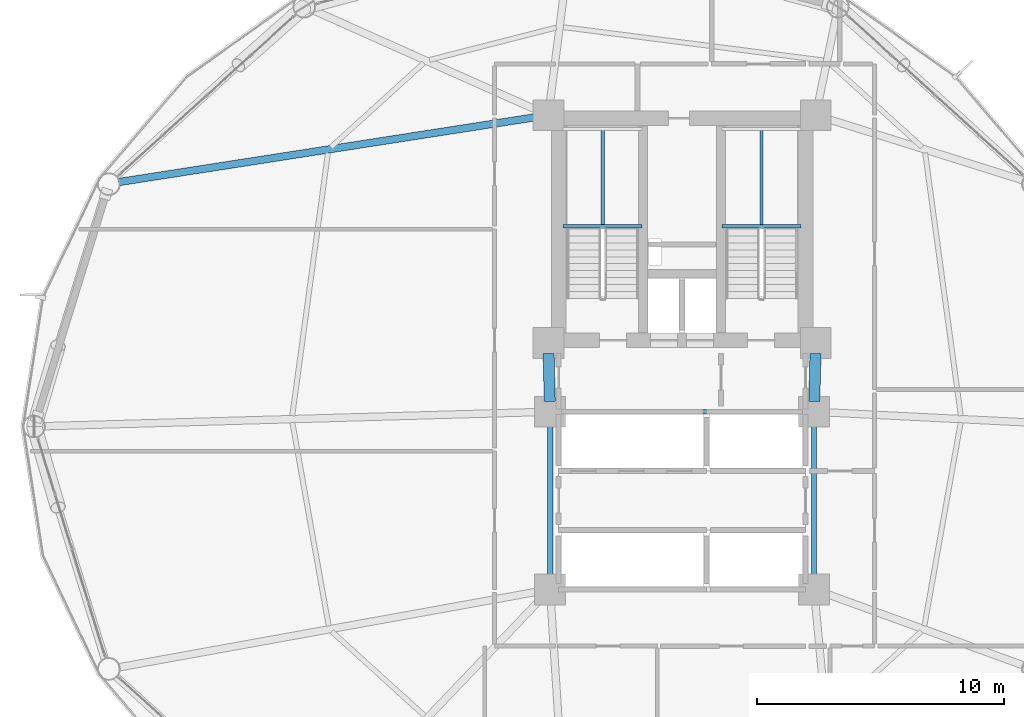
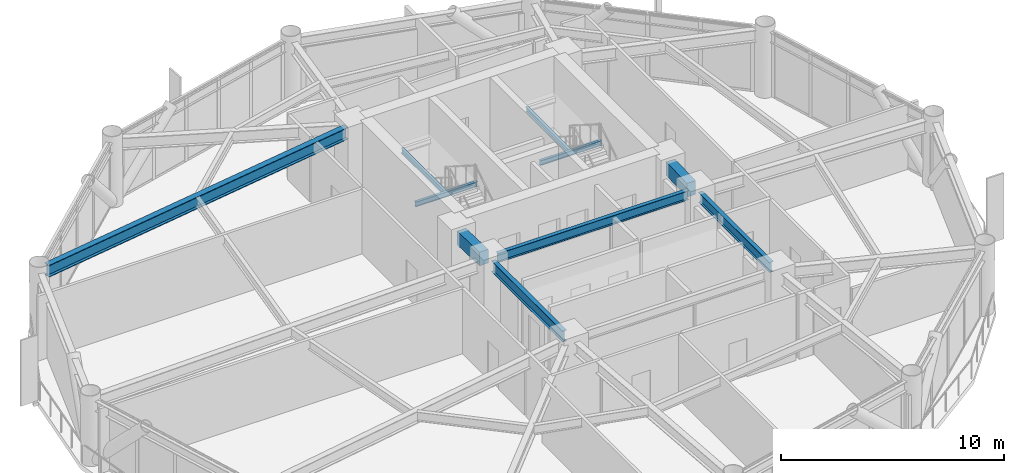
# One storey, part 11 of 25: 10 beams.
"""IFC4 building model written with IfcOpenShell, lengths in metres."""

import ifcopenshell
import ifcopenshell.guid

model = None  # the IFC model being written
_history = None  # IfcOwnerHistory: only IFC2X3 demands one
_inside = {}  # id of a spatial element -> (the spatial element, [elements in it])
_under = {}  # id of a project, library or spatial element -> (it, [spatial elements below it])
_declared = {}  # id of a project -> (the project, [libraries it declares])
_typed = {}  # id of a type object -> (the type object, [elements of that type])
_made_of = {}  # id of a material, layer set ... -> (it, [elements and type objects made of it])


def new_model(schema):
    """Start an empty IFC model of exactly this schema.

    Asked for "IFC4X3", IfcOpenShell would pick the latest addendum, in which some entities
    have other attributes; the version numbers below select the first issue.
    IFC2X3 requires an IfcOwnerHistory on every rooted entity: one is made here for all.
    """
    global model, _history
    if schema == "IFC4X3":
        model = ifcopenshell.file(schema_version=(4, 3, 0, 0))
    else:
        model = ifcopenshell.file(schema=schema)
    _inside.clear()
    _under.clear()
    _declared.clear()
    _typed.clear()
    _made_of.clear()
    _history = None
    if model.schema == "IFC2X3":
        org = make("IfcOrganization", Name="unknown")
        user = make(
            "IfcPersonAndOrganization",
            ThePerson=make("IfcPerson", FamilyName="unknown"),
            TheOrganization=org,
        )
        app = make(
            "IfcApplication",
            ApplicationDeveloper=org,
            Version="unknown",
            ApplicationFullName="unknown",
            ApplicationIdentifier="unknown",
        )
        _history = make(
            "IfcOwnerHistory",
            OwningUser=user,
            OwningApplication=app,
            ChangeAction="ADDED",
            CreationDate=0,
        )
    return model


def make(cls, **values):
    """One entity of the class cls with the attributes given. An attribute that is None is left unset."""
    return model.create_entity(
        cls, **{name: value for name, value in values.items() if value is not None}
    )


def rooted(cls, **values):
    """An entity with a GlobalId (a new one), such as an element, a storey or a relation."""
    return make(cls, GlobalId=ifcopenshell.guid.new(), OwnerHistory=_history, **values)


def si_unit(unit_type, name, prefix=None):
    """IfcSIUnit, for example si_unit("LENGTHUNIT", "METRE", prefix="MILLI")."""
    return make("IfcSIUnit", UnitType=unit_type, Prefix=prefix, Name=name)


def assignment(units):
    """IfcUnitAssignment: the units of a project."""
    return None if units is None else make("IfcUnitAssignment", Units=units)


def point(xyz):
    """IfcCartesianPoint."""
    return None if xyz is None else make("IfcCartesianPoint", Coordinates=xyz)


def direction(xyz):
    """IfcDirection."""
    return None if xyz is None else make("IfcDirection", DirectionRatios=xyz)


def frame(location, z_axis=None, x_axis=None):
    """IfcAxis2Placement3D, a coordinate frame: its origin and axes. An axis left out is left unset."""
    return make(
        "IfcAxis2Placement3D",
        Location=point(location),
        Axis=direction(z_axis),
        RefDirection=direction(x_axis),
    )


def frame_2d(location, x_axis=None):
    """IfcAxis2Placement2D, a coordinate frame in the plane: its origin and x axis."""
    return make(
        "IfcAxis2Placement2D", Location=point(location), RefDirection=direction(x_axis)
    )


def origin():
    """The frame at (0, 0, 0) with its axes left unset."""
    return frame((0.0, 0.0, 0.0))


def origin_2d():
    """The frame at (0, 0) in the plane with its x axis left unset."""
    return frame_2d((0.0, 0.0))


def place(relative_to, where):
    """IfcLocalPlacement: puts the frame where relative to a parent placement (None: the world)."""
    return make(
        "IfcLocalPlacement", PlacementRelTo=relative_to, RelativePlacement=where
    )


def context(
    kind, dimensions, precision=None, world=None, true_north=None, identifier=None
):
    """IfcGeometricRepresentationContext, for example the 3D "Model" context."""
    return make(
        "IfcGeometricRepresentationContext",
        ContextIdentifier=identifier,
        ContextType=kind,
        CoordinateSpaceDimension=dimensions,
        Precision=precision,
        WorldCoordinateSystem=world,
        TrueNorth=true_north,
    )


def subcontext(parent, identifier, kind, view, scale=None):
    """IfcGeometricRepresentationSubContext, for example "Body" below "Model"."""
    return make(
        "IfcGeometricRepresentationSubContext",
        ContextIdentifier=identifier,
        ContextType=kind,
        ParentContext=parent,
        TargetScale=scale,
        TargetView=view,
    )


def project(units=None, contexts=None):
    """IfcProject with its units and contexts."""
    return rooted(
        "IfcProject",
        Name="project",
        RepresentationContexts=contexts,
        UnitsInContext=assignment(units),
    )


def spatial(cls, under=None, at=None, **own):
    """A site, building, storey or space (cls), placed at a placement, below another one or the project."""
    s = rooted(cls, ObjectPlacement=at, **own)
    if under is not None:
        _under.setdefault(under.id(), (under, []))[1].append(s)
    return s


def profile(cls, at=None, kind="AREA", **sizes):
    """A parametric profile (cls). Its sizes go by their IFC names, for example OverallWidth=200.0."""
    return make(cls, ProfileType=kind, Position=at, **sizes)


def rectangle(**sizes):
    """IfcRectangleProfileDef."""
    return profile("IfcRectangleProfileDef", **sizes)


def i_section(**sizes):
    """IfcIShapeProfileDef."""
    return profile("IfcIShapeProfileDef", **sizes)


def extrude(swept, where, along, depth):
    """IfcExtrudedAreaSolid: the profile swept, set in the frame where, extruded along a direction by depth."""
    return make(
        "IfcExtrudedAreaSolid",
        SweptArea=swept,
        Position=where,
        ExtrudedDirection=direction(along),
        Depth=depth,
    )


def shape(context_of_items, identifier, shape_type, items):
    """IfcShapeRepresentation: the items that make up one representation, for example the "Body"."""
    return make(
        "IfcShapeRepresentation",
        ContextOfItems=context_of_items,
        RepresentationIdentifier=identifier,
        RepresentationType=shape_type,
        Items=items,
    )


def material(Name=None, Category=None):
    """IfcMaterial."""
    return make("IfcMaterial", Name=Name, Category=Category)


def material_profile(
    of_material, cross_section, Name=None, Category=None, Priority=None
):
    """IfcMaterialProfile: a cross section and its material."""
    return make(
        "IfcMaterialProfile",
        Name=Name,
        Material=of_material,
        Profile=cross_section,
        Priority=Priority,
        Category=Category,
    )


def profile_set(profiles, Name=None, composite=None):
    """IfcMaterialProfileSet."""
    return make(
        "IfcMaterialProfileSet",
        Name=Name,
        MaterialProfiles=profiles,
        CompositeProfile=composite,
    )


def made_of(thing, what):
    """Note that an element or type object is made of a material, layer set ...; save() writes the relation."""
    if what is not None:
        _made_of.setdefault(what.id(), (what, []))[1].append(thing)
    return thing


def type_object(cls, material=None, **own):
    """A type object (cls), such as IfcWallType, which elements share."""
    return made_of(rooted(cls, **own), material)


def element(
    cls,
    number,
    at=None,
    inside=None,
    cuts=None,
    type_object=None,
    material=None,
    context=None,
    identifier="Body",
    shape_type=None,
    held_by="IfcProductDefinitionShape",
    body=None,
    shapes=None,
    **own,
):
    """One element of the class cls, such as IfcWall. Its Tag is "e" and its number.

    at: its placement. inside: the storey or other place that contains it. cuts: it is an
    opening in that element (IfcRelVoidsElement). A single representation is given by context,
    identifier, shape_type and body (its items); several are given by shapes. held_by: the class
    of the entity that holds the representations. save() writes the other relations.
    """
    e = rooted(cls, Tag="e%d" % number, ObjectPlacement=at, **own)
    if body is not None:
        shapes = [shape(context, identifier, shape_type, body)]
    if shapes is not None:
        e.Representation = make(held_by, Representations=shapes)
    if inside is not None:
        _inside.setdefault(inside.id(), (inside, []))[1].append(e)
    if cuts is not None:
        rooted(
            "IfcRelVoidsElement", RelatingBuildingElement=cuts, RelatedOpeningElement=e
        )
    if type_object is not None:
        _typed.setdefault(type_object.id(), (type_object, []))[1].append(e)
    return made_of(e, material)


def aggregate(whole, parts):
    """IfcRelAggregates: a whole, such as a stair, and the parts it consists of."""
    return rooted("IfcRelAggregates", RelatingObject=whole, RelatedObjects=parts)


def save(model, path):
    """Write the relations noted so far, then the file.

    IfcRelAggregates (storeys below a building ...), IfcRelContainedInSpatialStructure (elements
    in a storey), IfcRelDefinesByType, IfcRelAssociatesMaterial and IfcRelDeclares: one each for
    every whole, place, type object, material and project.
    """
    for whole, parts in _under.values():
        aggregate(whole, parts)
    for where, things in _inside.values():
        rooted(
            "IfcRelContainedInSpatialStructure",
            RelatedElements=things,
            RelatingStructure=where,
        )
    for kind, things in _typed.values():
        rooted("IfcRelDefinesByType", RelatedObjects=things, RelatingType=kind)
    for what, things in _made_of.values():
        rooted("IfcRelAssociatesMaterial", RelatedObjects=things, RelatingMaterial=what)
    for by, libraries in _declared.values():
        rooted("IfcRelDeclares", RelatingContext=by, RelatedDefinitions=libraries)
    model.write(path)


model = new_model("IFC4")

# Units and contexts
model_context = context("Model", 3, precision=1e-05, world=origin(), true_north=direction((0.0, 1.0)))
body_context = subcontext(model_context, "Body", "Model", "MODEL_VIEW")
ifc_project = project(units=[si_unit("LENGTHUNIT", "METRE"), si_unit("AREAUNIT", "SQUARE_METRE"), si_unit("VOLUMEUNIT", "CUBIC_METRE"), si_unit("PLANEANGLEUNIT", "RADIAN"), si_unit("MASSUNIT", "GRAM", prefix="KILO")], contexts=[model_context])

# Site, building, storey
site_placement = place(None, origin())
site = spatial("IfcSite", under=ifc_project, at=site_placement, CompositionType="ELEMENT")
building_placement = place(site_placement, origin())
building = spatial("IfcBuilding", under=site, at=building_placement, Name="Varnakorn Sky Granary", CompositionType="ELEMENT")
storey_placement = place(building_placement, frame((0.0, 0.0, 74.39990234375)))
storey = spatial("IfcBuildingStorey", under=building, at=storey_placement, Name="L18", CompositionType="ELEMENT", Elevation=74.39990234375)

# Beams
ifc_material_1 = material(Name="Steel S355JR", Category="steel")
ifc_material_profile_1 = material_profile(ifc_material_1, i_section(OverallWidth=0.2099609375, OverallDepth=0.550048828125, WebThickness=0.010986328125, FlangeThickness=0.01708984375, at=origin_2d()), Name="IPE 550")
ifc_profile_set_1 = profile_set([ifc_material_profile_1], Name="Steel S355JR")
beam_type_1 = type_object("IfcBeamType", Name="BM-JST-550", PredefinedType="JOIST", material=ifc_profile_set_1)
beam_1_placement = place(storey_placement, frame((8.35009765625, 0.179931640625, 3.275146484375), z_axis=(0.0, -1.0, 0.0), x_axis=(1.0, 0.0, 0.0)))
element("IfcBeam", 1, at=beam_1_placement, inside=storey, type_object=beam_type_1, Name="Core Spine Framing Beam 4 L18", PredefinedType="JOIST", context=body_context, shape_type="SweptSolid", body=[
    extrude(i_section(OverallWidth=0.2099609375, OverallDepth=0.550048828125, WebThickness=0.010986328125, FlangeThickness=0.01708984375, at=origin_2d()), origin(), (0.0, 0.0, 1.0), 6.35986328125),
])
ifc_material_profile_2 = material_profile(ifc_material_1, i_section(OverallWidth=0.219970703125, OverallDepth=0.60009765625, WebThickness=0.011962890625, FlangeThickness=0.01904296875, at=origin_2d()), Name="IPE 600")
ifc_profile_set_2 = profile_set([ifc_material_profile_2], Name="Steel S355JR")
beam_type_2 = type_object("IfcBeamType", Name="BM-JST-600", PredefinedType="JOIST", material=ifc_profile_set_2)
beam_2_placement = place(storey_placement, frame((-2.35009765625, 0.179931640625, 3.25), z_axis=(0.0, -1.0, 0.0), x_axis=(1.0, 0.0, 0.0)))
element("IfcBeam", 2, at=beam_2_placement, inside=storey, type_object=beam_type_2, Name="Core Spine Framing Beam 3 L18", PredefinedType="JOIST", context=body_context, shape_type="SweptSolid", body=[
    extrude(i_section(OverallWidth=0.219970703125, OverallDepth=0.60009765625, WebThickness=0.011962890625, FlangeThickness=0.01904296875, at=origin_2d()), origin(), (0.0, 0.0, 1.0), 6.35986328125),
])
ifc_material_2 = material(Name="Concrete C60/75", Category="concrete")
ifc_material_profile_3 = material_profile(ifc_material_2, rectangle(XDim=0.449951171875, YDim=0.75, at=origin_2d()), Name="RC 450x750")
ifc_profile_set_3 = profile_set([ifc_material_profile_3], Name="Concrete C60/75")
beam_type_3 = type_object("IfcBeamType", Name="BM-LIN-750", PredefinedType="LINTEL", material=ifc_profile_set_3)
for number, where, z_axis, x_axis, name in (
    (3, (-2.409423828125, 2.960205078125, 3.175048828125), (0.025158763514, -0.999683468213, 0.0), (0.999683468213, 0.025158763514, 0.0), "Core Spine Framing Beam 1 L18"),
    (4, (8.409423828125, 2.960205078125, 3.175048828125), (-0.025158763514, -0.999683468213, 0.0), (0.999683468213, -0.025158763514, 0.0), "Core Spine Framing Beam 2 L18"),
):
    element("IfcBeam", number, at=place(storey_placement, frame(where, z_axis=z_axis, x_axis=x_axis)), inside=storey, type_object=beam_type_3, Name=name, PredefinedType="LINTEL", context=body_context, shape_type="SweptSolid", body=[
        extrude(rectangle(XDim=0.449951171875, YDim=0.75, at=origin_2d()), origin(), (0.0, 0.0, 1.0), 1.94091796875),
    ])
ifc_material_profile_4 = material_profile(ifc_material_1, i_section(OverallWidth=0.135009765625, OverallDepth=0.27001953125, WebThickness=0.006591796875, FlangeThickness=0.01025390625, at=origin_2d()), Name="IPE 270")
ifc_profile_set_4 = profile_set([ifc_material_profile_4], Name="Steel S355JR")
beam_type_4 = type_object("IfcBeamType", Name="BM-LND-270", PredefinedType="BEAM", material=ifc_profile_set_4)
beam_3_placement = place(storey_placement, frame((-1.820068359375, 8.1201171875, 1.614990234375), z_axis=(1.0, 0.0, 0.0), x_axis=(0.0, 1.0, 0.0)))
element("IfcBeam", 5, at=beam_3_placement, inside=storey, type_object=beam_type_4, Name="Stair ST-1 Landing Trimmer Beam A L18-1", PredefinedType="BEAM", context=body_context, shape_type="SweptSolid", body=[
    extrude(i_section(OverallWidth=0.135009765625, OverallDepth=0.27001953125, WebThickness=0.006591796875, FlangeThickness=0.01025390625, at=origin_2d()), origin(), (0.0, 0.0, 1.0), 3.199951171875),
])
beam_4_placement = place(storey_placement, frame((-0.219970703125, 8.1201171875, 1.614990234375), z_axis=(0.0, 1.0, 0.0), x_axis=(-1.0, 0.0, 0.0)))
element("IfcBeam", 6, at=beam_4_placement, inside=storey, type_object=beam_type_4, Name="Stair ST-1 Landing Cross Beam C L18-1", PredefinedType="BEAM", context=body_context, shape_type="SweptSolid", body=[
    extrude(i_section(OverallWidth=0.135009765625, OverallDepth=0.27001953125, WebThickness=0.006591796875, FlangeThickness=0.01025390625, at=origin_2d()), origin(), (0.0, 0.0, 1.0), 3.93994140625),
])
beam_5_placement = place(storey_placement, frame((4.6201171875, 8.1201171875, 1.614990234375), z_axis=(1.0, 0.0, 0.0), x_axis=(0.0, 1.0, 0.0)))
element("IfcBeam", 7, at=beam_5_placement, inside=storey, type_object=beam_type_4, Name="Stair ST-2 Landing Trimmer Beam A L18-1", PredefinedType="BEAM", context=body_context, shape_type="SweptSolid", body=[
    extrude(i_section(OverallWidth=0.135009765625, OverallDepth=0.27001953125, WebThickness=0.006591796875, FlangeThickness=0.01025390625, at=origin_2d()), origin(), (0.0, 0.0, 1.0), 3.199951171875),
])
beam_6_placement = place(storey_placement, frame((6.219970703125, 8.1201171875, 1.614990234375), z_axis=(0.0, 1.0, 0.0), x_axis=(-1.0, 0.0, 0.0)))
element("IfcBeam", 8, at=beam_6_placement, inside=storey, type_object=beam_type_4, Name="Stair ST-2 Landing Cross Beam C L18-1", PredefinedType="BEAM", context=body_context, shape_type="SweptSolid", body=[
    extrude(i_section(OverallWidth=0.135009765625, OverallDepth=0.27001953125, WebThickness=0.006591796875, FlangeThickness=0.01025390625, at=origin_2d()), origin(), (0.0, 0.0, 1.0), 3.93994140625),
])
ifc_material_profile_5 = material_profile(ifc_material_1, i_section(OverallWidth=0.300048828125, OverallDepth=0.64990234375, WebThickness=0.01611328125, FlangeThickness=0.031005859375, at=origin_2d()), Name="HE 650 B")
ifc_profile_set_5 = profile_set([ifc_material_profile_5], Name="Steel S355JR")
beam_type_5 = type_object("IfcBeamType", Name="BM-RAD-Z1", PredefinedType="BEAM", material=ifc_profile_set_5)
beam_7_placement = place(storey_placement, frame((-2.8349609375, 12.555419921875, 3.22509765625), z_axis=(-0.988107415333, -0.153765196854, 0.0), x_axis=(0.153765196854, -0.988107415333, 0.0)))
element("IfcBeam", 9, at=beam_7_placement, inside=storey, type_object=beam_type_5, Name="Radial Floor Girder RG06 L18", PredefinedType="BEAM", context=body_context, shape_type="SweptSolid", body=[
    extrude(i_section(OverallWidth=0.300048828125, OverallDepth=0.64990234375, WebThickness=0.01611328125, FlangeThickness=0.031005859375, at=origin_2d()), origin(), (0.0, 0.0, 1.0), 17.204833984375),
])
ifc_material_profile_6 = material_profile(ifc_material_1, i_section(OverallWidth=0.199951171875, OverallDepth=0.5, WebThickness=0.01025390625, FlangeThickness=0.01611328125, at=origin_2d()), Name="IPE 500")
ifc_profile_set_6 = profile_set([ifc_material_profile_6], Name="Steel S355JR")
beam_type_6 = type_object("IfcBeamType", Name="BM-SEC-Z1", PredefinedType="BEAM", material=ifc_profile_set_6)
beam_8_placement = place(storey_placement, frame((-1.929931640625, 0.60009765625, 3.300048828125), z_axis=(1.0, 0.0, 0.0), x_axis=(0.0, 1.0, 0.0)))
element("IfcBeam", 10, at=beam_8_placement, inside=storey, type_object=beam_type_6, Name="Core Spine Framing Beam 5 L18", PredefinedType="BEAM", context=body_context, shape_type="SweptSolid", body=[
    extrude(i_section(OverallWidth=0.199951171875, OverallDepth=0.5, WebThickness=0.01025390625, FlangeThickness=0.01611328125, at=origin_2d()), origin(), (0.0, 0.0, 1.0), 9.85986328125),
])

save(model, "model.ifc")
